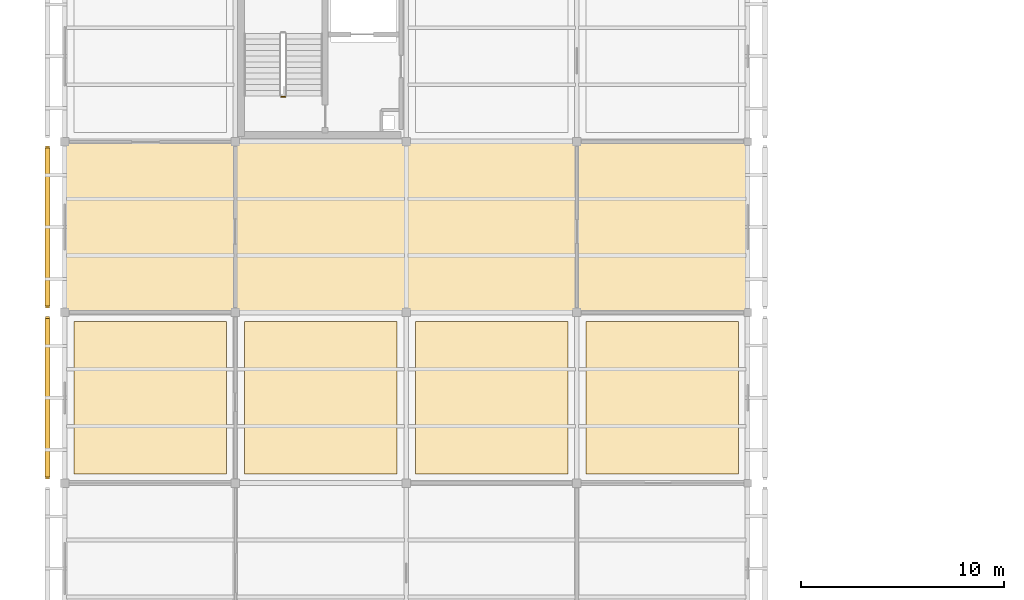
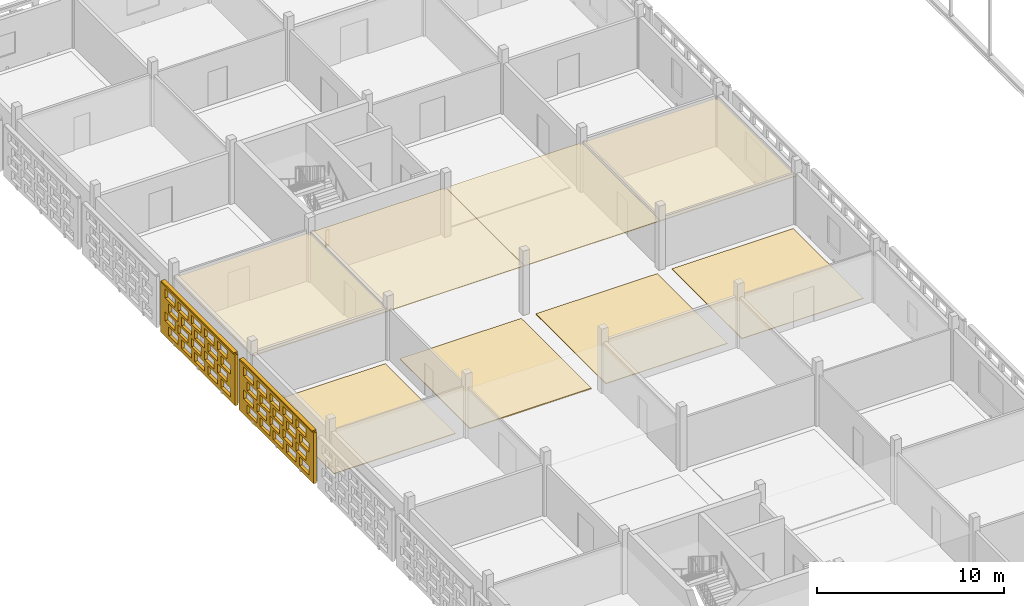
# One storey, part 90 of 103: 10 coverings, 2 shading devices, 1 railing, 40 openings.
"""IFC4 building model written with IfcOpenShell, lengths in metres."""

from ifc_helpers import new_model, si_unit, direction, frame, frame_2d, origin, origin_2d, place, context, subcontext, project, spatial, rectangle, circle, extrude, material, layer, layer_set, type_object, element, save


model = new_model("IFC4")

# Units and contexts
model_context = context("Model", 3, precision=1e-05, world=origin(), true_north=direction((0.0, 1.0)))
body_context = subcontext(model_context, "Body", "Model", "MODEL_VIEW")
ifc_project = project(units=[si_unit("LENGTHUNIT", "METRE"), si_unit("AREAUNIT", "SQUARE_METRE"), si_unit("VOLUMEUNIT", "CUBIC_METRE"), si_unit("PLANEANGLEUNIT", "RADIAN"), si_unit("MASSUNIT", "GRAM", prefix="KILO")], contexts=[model_context])

# Site, building, storey
site_placement = place(None, origin())
site = spatial("IfcSite", under=ifc_project, at=site_placement, CompositionType="ELEMENT")
building_placement = place(site_placement, origin())
building = spatial("IfcBuilding", under=site, at=building_placement, Name="Varnapada Polytechnic", CompositionType="ELEMENT")
storey_placement = place(building_placement, frame((0.0, 0.0, 18.0)))
storey = spatial("IfcBuildingStorey", under=building, at=storey_placement, Name="L04", CompositionType="ELEMENT", Elevation=18.0)

# Coverings
ifc_material_1 = material(Name="Anti-Static Raised Laboratory Flooring")
ifc_layer_1 = layer(ifc_material_1, 0.06005859375)
ifc_layer_set_1 = layer_set([ifc_layer_1], Name="Anti-Static Raised Laboratory Flooring")
covering_type_1 = type_object("IfcCoveringType", Name="Floor Finish FLR-02", PredefinedType="FLOORING", material=ifc_layer_set_1)
covering_1_placement = place(storey_placement, frame((12.60009765625, 88.199951171875, 0.0), z_axis=(0.0, 0.0, 1.0), x_axis=(1.0, 0.0, 0.0)))
element("IfcCovering", 1, at=covering_1_placement, inside=storey, type_object=covering_type_1, Name="L04 floor finish panel (2,11)", PredefinedType="FLOORING", context=body_context, shape_type="SweptSolid", body=[
    extrude(rectangle(XDim=7.5, YDim=7.5, at=origin_2d()), origin(), (0.0, 0.0, 1.0), 0.06005859375),
])
ifc_material_2 = material(Name="Acoustic Rubber Seminar Flooring")
ifc_layer_2 = layer(ifc_material_2, 0.0400390625)
ifc_layer_set_2 = layer_set([ifc_layer_2], Name="Acoustic Rubber Seminar Flooring")
covering_type_2 = type_object("IfcCoveringType", Name="Floor Finish FLR-06", PredefinedType="FLOORING", material=ifc_layer_set_2)
for number, where, z_axis, x_axis, name in (
    (2, (4.199951171875, 88.199951171875, 0.0), (0.0, 0.0, 1.0), (1.0, 0.0, 0.0), "L04 floor finish panel (1,11)"),
    (3, (21.0, 88.199951171875, 0.0), (0.0, 0.0, 1.0), (1.0, 0.0, 0.0), "L04 floor finish panel (3,11)"),
    (4, (29.39990234375, 88.199951171875, 0.0), (0.0, 0.0, 1.0), (1.0, 0.0, 0.0), "L04 floor finish panel (4,11)"),
):
    element("IfcCovering", number, at=place(storey_placement, frame(where, z_axis=z_axis, x_axis=x_axis)), inside=storey, type_object=covering_type_2, Name=name, PredefinedType="FLOORING", context=body_context, shape_type="SweptSolid", body=[
        extrude(rectangle(XDim=7.5, YDim=7.5, at=origin_2d()), origin(), (0.0, 0.0, 1.0), 0.0400390625),
    ])

# Railing
ifc_material_3 = material(Name="Brushed Stainless Steel 316", Category="steel")
railing_type = type_object("IfcRailingType", Name="Stair Well Guard Rail SGR-01", PredefinedType="BALUSTRADE", material=ifc_material_3)
railing_placement = place(storey_placement, frame((10.85009765625, 103.0, 0.0)))
element("IfcRailing", 5, at=railing_placement, inside=storey, type_object=railing_type, Name="L04 ST-1 stair guard 4", PredefinedType="BALUSTRADE", context=body_context, shape_type="SweptSolid", body=[
    extrude(circle(Radius=0.02392578125, at=origin_2d()), frame((0.0, 0.0, 1.09619140625), z_axis=(-1.0, 0.0, 0.0), x_axis=(0.0, -1.0, 0.0)), (0.0, 0.0, 1.0), 0.2001953125),
    extrude(circle(Radius=0.02392578125, at=origin_2d()), frame((0.0, 0.0, 0.10009765625), z_axis=(-1.0, 0.0, 0.0), x_axis=(0.0, -1.0, 0.0)), (0.0, 0.0, 1.0), 0.2001953125),
    extrude(circle(Radius=0.02099609375, at=origin_2d()), origin(), (0.0, 0.0, 1.0), 1.072021484375),
    extrude(circle(Radius=0.02099609375, at=origin_2d()), frame((-0.2001953125, 0.0, 0.0)), (0.0, 0.0, 1.0), 1.072021484375),
])

# Coverings
ifc_material_4 = material(Name="Mineral Fibre Acoustic Ceiling Tile")
ifc_layer_3 = layer(ifc_material_4, 0.0400390625)
ifc_layer_set_3 = layer_set([ifc_layer_3], Name="Mineral Fibre Acoustic Ceiling Tile")
covering_type_3 = type_object("IfcCoveringType", Name="Suspended Ceiling CLG-01", PredefinedType="CEILING", material=ifc_layer_set_3)
covering_2_placement = place(storey_placement, frame((12.60009765625, 96.60009765625, 3.030029296875), z_axis=(0.0, 0.0, 1.0), x_axis=(1.0, 0.0, 0.0)))
element("IfcCovering", 6, at=covering_2_placement, inside=storey, type_object=covering_type_3, Name="L04 suspended acoustic ceiling (2,12)", PredefinedType="CEILING", context=body_context, shape_type="SweptSolid", body=[
    extrude(rectangle(XDim=8.419921875, YDim=8.419921875, at=origin_2d()), origin(), (0.0, 0.0, 1.0), 0.0400390625),
])
ifc_material_5 = material(Name="Perforated Timber Slatted Baffle Ceiling", Category="wood")
ifc_layer_4 = layer(ifc_material_5, 0.050048828125)
ifc_layer_set_4 = layer_set([ifc_layer_4], Name="Perforated Timber Slatted Baffle Ceiling")
covering_type_4 = type_object("IfcCoveringType", Name="Suspended Ceiling CLG-02", PredefinedType="CEILING", material=ifc_layer_set_4)
covering_3_placement = place(storey_placement, frame((29.39990234375, 96.60009765625, 3.02490234375), z_axis=(0.0, 0.0, 1.0), x_axis=(1.0, 0.0, 0.0)))
element("IfcCovering", 7, at=covering_3_placement, inside=storey, type_object=covering_type_4, Name="L04 suspended acoustic ceiling (4,12)", PredefinedType="CEILING", context=body_context, shape_type="SweptSolid", body=[
    extrude(rectangle(XDim=8.419921875, YDim=8.419921875, at=origin_2d()), origin(), (0.0, 0.0, 1.0), 0.050048828125),
])
ifc_material_6 = material(Name="Micro-Perforated Gypsum Acoustic Ceiling")
ifc_layer_5 = layer(ifc_material_6, 0.044921875)
ifc_layer_set_5 = layer_set([ifc_layer_5], Name="Micro-Perforated Gypsum Acoustic Ceiling")
covering_type_5 = type_object("IfcCoveringType", Name="Suspended Ceiling CLG-04", PredefinedType="CEILING", material=ifc_layer_set_5)
covering_4_placement = place(storey_placement, frame((21.0, 96.60009765625, 3.027587890625), z_axis=(0.0, 0.0, 1.0), x_axis=(1.0, 0.0, 0.0)))
element("IfcCovering", 8, at=covering_4_placement, inside=storey, type_object=covering_type_5, Name="L04 suspended acoustic ceiling (3,12)", PredefinedType="CEILING", context=body_context, shape_type="SweptSolid", body=[
    extrude(rectangle(XDim=8.419921875, YDim=8.419921875, at=origin_2d()), origin(), (0.0, 0.0, 1.0), 0.044921875),
])
ifc_material_7 = material(Name="Deep Acoustic Auditorium Cloud Baffle")
ifc_layer_6 = layer(ifc_material_7, 0.06494140625)
ifc_layer_set_6 = layer_set([ifc_layer_6], Name="Deep Acoustic Auditorium Cloud Baffle")
covering_type_6 = type_object("IfcCoveringType", Name="Suspended Ceiling CLG-07", PredefinedType="CEILING", material=ifc_layer_set_6)
covering_5_placement = place(storey_placement, frame((4.199951171875, 96.60009765625, 3.017578125), z_axis=(0.0, 0.0, 1.0), x_axis=(1.0, 0.0, 0.0)))
element("IfcCovering", 9, at=covering_5_placement, inside=storey, type_object=covering_type_6, Name="L04 suspended acoustic ceiling (1,12)", PredefinedType="CEILING", context=body_context, shape_type="SweptSolid", body=[
    extrude(rectangle(XDim=8.419921875, YDim=8.419921875, at=origin_2d()), origin(), (0.0, 0.0, 1.0), 0.06494140625),
])

# Covering, openings
ifc_material_8 = material(Name="Earth-toned architectural terracotta screen block", Category="masonry")
ifc_layer_7 = layer(ifc_material_8, 0.1201171875)
ifc_layer_set_7 = layer_set([ifc_layer_7], Name="Earth-toned architectural terracotta screen block")
covering_type_7 = type_object("IfcCoveringType", Name="Terracotta Screen Cladding CLD-01", PredefinedType="CLADDING", material=ifc_layer_set_7)
covering_6_placement = place(storey_placement, frame((-0.85009765625, 84.2099609375, 0.0), z_axis=(0.0, 0.0, 1.0), x_axis=(0.0, 1.0, 0.0)))
covering_6 = element("IfcCovering", 10, at=covering_6_placement, inside=storey, type_object=covering_type_7, Name="L04 perforated terracotta block screen (6)", PredefinedType="CLADDING", context=body_context, shape_type="SweptSolid", body=[
    extrude(rectangle(XDim=7.97998046875, YDim=0.179931640625, at=frame_2d((3.989990234375, 0.0))), origin(), (0.0, 0.0, 1.0), 3.320068359375),
])
opening_1_placement = place(covering_6_placement, frame((0.489990234375, 0.0, 0.265625)))
element("IfcOpeningElement", 11, at=opening_1_placement, cuts=covering_6, Name="Screen perforation TBS-L04-005.1", PredefinedType="OPENING", context=body_context, shape_type="SweptSolid", body=[
    extrude(rectangle(XDim=1.0400390625, YDim=0.5810546875, at=frame_2d((0.52001953125, 0.29052734375))), frame((0.0, 0.099853515625, 0.0), z_axis=(0.0, -1.0, 0.0), x_axis=(1.0, 0.0, 0.0)), (0.0, 0.0, 1.0), 0.199951171875),
])
opening_2_placement = place(covering_6_placement, frame((1.889892578125, 0.0, 0.265625)))
element("IfcOpeningElement", 12, at=opening_2_placement, cuts=covering_6, Name="Screen perforation TBS-L04-005.2", PredefinedType="OPENING", context=body_context, shape_type="SweptSolid", body=[
    extrude(rectangle(XDim=1.0400390625, YDim=0.5810546875, at=frame_2d((0.52001953125, 0.29052734375))), frame((0.0, 0.099853515625, 0.0), z_axis=(0.0, -1.0, 0.0), x_axis=(1.0, 0.0, 0.0)), (0.0, 0.0, 1.0), 0.199951171875),
])
opening_3_placement = place(covering_6_placement, frame((3.2900390625, 0.0, 0.265625)))
element("IfcOpeningElement", 13, at=opening_3_placement, cuts=covering_6, Name="Screen perforation TBS-L04-005.3", PredefinedType="OPENING", context=body_context, shape_type="SweptSolid", body=[
    extrude(rectangle(XDim=1.0400390625, YDim=0.5810546875, at=frame_2d((0.52001953125, 0.29052734375))), frame((0.0, 0.099853515625, 0.0), z_axis=(0.0, -1.0, 0.0), x_axis=(1.0, 0.0, 0.0)), (0.0, 0.0, 1.0), 0.199951171875),
])
opening_4_placement = place(covering_6_placement, frame((4.68994140625, 0.0, 0.265625)))
element("IfcOpeningElement", 14, at=opening_4_placement, cuts=covering_6, Name="Screen perforation TBS-L04-005.4", PredefinedType="OPENING", context=body_context, shape_type="SweptSolid", body=[
    extrude(rectangle(XDim=1.0400390625, YDim=0.5810546875, at=frame_2d((0.52001953125, 0.29052734375))), frame((0.0, 0.099853515625, 0.0), z_axis=(0.0, -1.0, 0.0), x_axis=(1.0, 0.0, 0.0)), (0.0, 0.0, 1.0), 0.199951171875),
])
opening_5_placement = place(covering_6_placement, frame((6.090087890625, 0.0, 0.265625)))
element("IfcOpeningElement", 15, at=opening_5_placement, cuts=covering_6, Name="Screen perforation TBS-L04-005.5", PredefinedType="OPENING", context=body_context, shape_type="SweptSolid", body=[
    extrude(rectangle(XDim=1.0400390625, YDim=0.5810546875, at=frame_2d((0.52001953125, 0.29052734375))), frame((0.0, 0.099853515625, 0.0), z_axis=(0.0, -1.0, 0.0), x_axis=(1.0, 0.0, 0.0)), (0.0, 0.0, 1.0), 0.199951171875),
])
opening_6_placement = place(covering_6_placement, frame((0.85009765625, 0.0, 1.0126953125)))
element("IfcOpeningElement", 16, at=opening_6_placement, cuts=covering_6, Name="Screen perforation TBS-L04-005.6", PredefinedType="OPENING", context=body_context, shape_type="SweptSolid", body=[
    extrude(rectangle(XDim=1.0400390625, YDim=0.5810546875, at=frame_2d((0.52001953125, 0.29052734375))), frame((0.0, 0.099853515625, 0.0), z_axis=(0.0, -1.0, 0.0), x_axis=(1.0, 0.0, 0.0)), (0.0, 0.0, 1.0), 0.199951171875),
])
opening_7_placement = place(covering_6_placement, frame((2.25, 0.0, 1.0126953125)))
element("IfcOpeningElement", 17, at=opening_7_placement, cuts=covering_6, Name="Screen perforation TBS-L04-005.7", PredefinedType="OPENING", context=body_context, shape_type="SweptSolid", body=[
    extrude(rectangle(XDim=1.0400390625, YDim=0.5810546875, at=frame_2d((0.52001953125, 0.29052734375))), frame((0.0, 0.099853515625, 0.0), z_axis=(0.0, -1.0, 0.0), x_axis=(1.0, 0.0, 0.0)), (0.0, 0.0, 1.0), 0.199951171875),
])
opening_8_placement = place(covering_6_placement, frame((3.64990234375, 0.0, 1.0126953125)))
element("IfcOpeningElement", 18, at=opening_8_placement, cuts=covering_6, Name="Screen perforation TBS-L04-005.8", PredefinedType="OPENING", context=body_context, shape_type="SweptSolid", body=[
    extrude(rectangle(XDim=1.0400390625, YDim=0.5810546875, at=frame_2d((0.52001953125, 0.29052734375))), frame((0.0, 0.099853515625, 0.0), z_axis=(0.0, -1.0, 0.0), x_axis=(1.0, 0.0, 0.0)), (0.0, 0.0, 1.0), 0.199951171875),
])
opening_9_placement = place(covering_6_placement, frame((5.050048828125, 0.0, 1.0126953125)))
element("IfcOpeningElement", 19, at=opening_9_placement, cuts=covering_6, Name="Screen perforation TBS-L04-005.9", PredefinedType="OPENING", context=body_context, shape_type="SweptSolid", body=[
    extrude(rectangle(XDim=1.0400390625, YDim=0.5810546875, at=frame_2d((0.52001953125, 0.29052734375))), frame((0.0, 0.099853515625, 0.0), z_axis=(0.0, -1.0, 0.0), x_axis=(1.0, 0.0, 0.0)), (0.0, 0.0, 1.0), 0.199951171875),
])
opening_10_placement = place(covering_6_placement, frame((6.449951171875, 0.0, 1.0126953125)))
element("IfcOpeningElement", 20, at=opening_10_placement, cuts=covering_6, Name="Screen perforation TBS-L04-005.10", PredefinedType="OPENING", context=body_context, shape_type="SweptSolid", body=[
    extrude(rectangle(XDim=1.0400390625, YDim=0.5810546875, at=frame_2d((0.52001953125, 0.29052734375))), frame((0.0, 0.099853515625, 0.0), z_axis=(0.0, -1.0, 0.0), x_axis=(1.0, 0.0, 0.0)), (0.0, 0.0, 1.0), 0.199951171875),
])
opening_11_placement = place(covering_6_placement, frame((0.489990234375, 0.0, 1.759521484375)))
element("IfcOpeningElement", 21, at=opening_11_placement, cuts=covering_6, Name="Screen perforation TBS-L04-005.11", PredefinedType="OPENING", context=body_context, shape_type="SweptSolid", body=[
    extrude(rectangle(XDim=1.0400390625, YDim=0.5810546875, at=frame_2d((0.52001953125, 0.29052734375))), frame((0.0, 0.099853515625, 0.0), z_axis=(0.0, -1.0, 0.0), x_axis=(1.0, 0.0, 0.0)), (0.0, 0.0, 1.0), 0.199951171875),
])
opening_12_placement = place(covering_6_placement, frame((1.889892578125, 0.0, 1.759521484375)))
element("IfcOpeningElement", 22, at=opening_12_placement, cuts=covering_6, Name="Screen perforation TBS-L04-005.12", PredefinedType="OPENING", context=body_context, shape_type="SweptSolid", body=[
    extrude(rectangle(XDim=1.0400390625, YDim=0.5810546875, at=frame_2d((0.52001953125, 0.29052734375))), frame((0.0, 0.099853515625, 0.0), z_axis=(0.0, -1.0, 0.0), x_axis=(1.0, 0.0, 0.0)), (0.0, 0.0, 1.0), 0.199951171875),
])
opening_13_placement = place(covering_6_placement, frame((3.2900390625, 0.0, 1.759521484375)))
element("IfcOpeningElement", 23, at=opening_13_placement, cuts=covering_6, Name="Screen perforation TBS-L04-005.13", PredefinedType="OPENING", context=body_context, shape_type="SweptSolid", body=[
    extrude(rectangle(XDim=1.0400390625, YDim=0.5810546875, at=frame_2d((0.52001953125, 0.29052734375))), frame((0.0, 0.099853515625, 0.0), z_axis=(0.0, -1.0, 0.0), x_axis=(1.0, 0.0, 0.0)), (0.0, 0.0, 1.0), 0.199951171875),
])
opening_14_placement = place(covering_6_placement, frame((4.68994140625, 0.0, 1.759521484375)))
element("IfcOpeningElement", 24, at=opening_14_placement, cuts=covering_6, Name="Screen perforation TBS-L04-005.14", PredefinedType="OPENING", context=body_context, shape_type="SweptSolid", body=[
    extrude(rectangle(XDim=1.0400390625, YDim=0.5810546875, at=frame_2d((0.52001953125, 0.29052734375))), frame((0.0, 0.099853515625, 0.0), z_axis=(0.0, -1.0, 0.0), x_axis=(1.0, 0.0, 0.0)), (0.0, 0.0, 1.0), 0.199951171875),
])
opening_15_placement = place(covering_6_placement, frame((6.090087890625, 0.0, 1.759521484375)))
element("IfcOpeningElement", 25, at=opening_15_placement, cuts=covering_6, Name="Screen perforation TBS-L04-005.15", PredefinedType="OPENING", context=body_context, shape_type="SweptSolid", body=[
    extrude(rectangle(XDim=1.0400390625, YDim=0.5810546875, at=frame_2d((0.52001953125, 0.29052734375))), frame((0.0, 0.099853515625, 0.0), z_axis=(0.0, -1.0, 0.0), x_axis=(1.0, 0.0, 0.0)), (0.0, 0.0, 1.0), 0.199951171875),
])
opening_16_placement = place(covering_6_placement, frame((0.85009765625, 0.0, 2.506591796875)))
element("IfcOpeningElement", 26, at=opening_16_placement, cuts=covering_6, Name="Screen perforation TBS-L04-005.16", PredefinedType="OPENING", context=body_context, shape_type="SweptSolid", body=[
    extrude(rectangle(XDim=1.0400390625, YDim=0.5810546875, at=frame_2d((0.52001953125, 0.29052734375))), frame((0.0, 0.099853515625, 0.0), z_axis=(0.0, -1.0, 0.0), x_axis=(1.0, 0.0, 0.0)), (0.0, 0.0, 1.0), 0.199951171875),
])
opening_17_placement = place(covering_6_placement, frame((2.25, 0.0, 2.506591796875)))
element("IfcOpeningElement", 27, at=opening_17_placement, cuts=covering_6, Name="Screen perforation TBS-L04-005.17", PredefinedType="OPENING", context=body_context, shape_type="SweptSolid", body=[
    extrude(rectangle(XDim=1.0400390625, YDim=0.5810546875, at=frame_2d((0.52001953125, 0.29052734375))), frame((0.0, 0.099853515625, 0.0), z_axis=(0.0, -1.0, 0.0), x_axis=(1.0, 0.0, 0.0)), (0.0, 0.0, 1.0), 0.199951171875),
])
opening_18_placement = place(covering_6_placement, frame((3.64990234375, 0.0, 2.506591796875)))
element("IfcOpeningElement", 28, at=opening_18_placement, cuts=covering_6, Name="Screen perforation TBS-L04-005.18", PredefinedType="OPENING", context=body_context, shape_type="SweptSolid", body=[
    extrude(rectangle(XDim=1.0400390625, YDim=0.5810546875, at=frame_2d((0.52001953125, 0.29052734375))), frame((0.0, 0.099853515625, 0.0), z_axis=(0.0, -1.0, 0.0), x_axis=(1.0, 0.0, 0.0)), (0.0, 0.0, 1.0), 0.199951171875),
])
opening_19_placement = place(covering_6_placement, frame((5.050048828125, 0.0, 2.506591796875)))
element("IfcOpeningElement", 29, at=opening_19_placement, cuts=covering_6, Name="Screen perforation TBS-L04-005.19", PredefinedType="OPENING", context=body_context, shape_type="SweptSolid", body=[
    extrude(rectangle(XDim=1.0400390625, YDim=0.5810546875, at=frame_2d((0.52001953125, 0.29052734375))), frame((0.0, 0.099853515625, 0.0), z_axis=(0.0, -1.0, 0.0), x_axis=(1.0, 0.0, 0.0)), (0.0, 0.0, 1.0), 0.199951171875),
])
opening_20_placement = place(covering_6_placement, frame((6.449951171875, 0.0, 2.506591796875)))
element("IfcOpeningElement", 30, at=opening_20_placement, cuts=covering_6, Name="Screen perforation TBS-L04-005.20", PredefinedType="OPENING", context=body_context, shape_type="SweptSolid", body=[
    extrude(rectangle(XDim=1.0400390625, YDim=0.5810546875, at=frame_2d((0.52001953125, 0.29052734375))), frame((0.0, 0.099853515625, 0.0), z_axis=(0.0, -1.0, 0.0), x_axis=(1.0, 0.0, 0.0)), (0.0, 0.0, 1.0), 0.199951171875),
])

covering_7_placement = place(storey_placement, frame((-0.85009765625, 92.610107421875, 0.0), z_axis=(0.0, 0.0, 1.0), x_axis=(0.0, 1.0, 0.0)))
covering_7 = element("IfcCovering", 31, at=covering_7_placement, inside=storey, type_object=covering_type_7, Name="L04 perforated terracotta block screen (7)", PredefinedType="CLADDING", context=body_context, shape_type="SweptSolid", body=[
    extrude(rectangle(XDim=7.97998046875, YDim=0.179931640625, at=frame_2d((3.989990234375, 0.0))), origin(), (0.0, 0.0, 1.0), 3.320068359375),
])
opening_21_placement = place(covering_7_placement, frame((0.489990234375, 0.0, 0.265625)))
element("IfcOpeningElement", 32, at=opening_21_placement, cuts=covering_7, Name="Screen perforation TBS-L04-006.1", PredefinedType="OPENING", context=body_context, shape_type="SweptSolid", body=[
    extrude(rectangle(XDim=1.0400390625, YDim=0.5810546875, at=frame_2d((0.52001953125, 0.29052734375))), frame((0.0, 0.099853515625, 0.0), z_axis=(0.0, -1.0, 0.0), x_axis=(1.0, 0.0, 0.0)), (0.0, 0.0, 1.0), 0.199951171875),
])
opening_22_placement = place(covering_7_placement, frame((1.889892578125, 0.0, 0.265625)))
element("IfcOpeningElement", 33, at=opening_22_placement, cuts=covering_7, Name="Screen perforation TBS-L04-006.2", PredefinedType="OPENING", context=body_context, shape_type="SweptSolid", body=[
    extrude(rectangle(XDim=1.0400390625, YDim=0.5810546875, at=frame_2d((0.52001953125, 0.29052734375))), frame((0.0, 0.099853515625, 0.0), z_axis=(0.0, -1.0, 0.0), x_axis=(1.0, 0.0, 0.0)), (0.0, 0.0, 1.0), 0.199951171875),
])
opening_23_placement = place(covering_7_placement, frame((3.2900390625, 0.0, 0.265625)))
element("IfcOpeningElement", 34, at=opening_23_placement, cuts=covering_7, Name="Screen perforation TBS-L04-006.3", PredefinedType="OPENING", context=body_context, shape_type="SweptSolid", body=[
    extrude(rectangle(XDim=1.0400390625, YDim=0.5810546875, at=frame_2d((0.52001953125, 0.29052734375))), frame((0.0, 0.099853515625, 0.0), z_axis=(0.0, -1.0, 0.0), x_axis=(1.0, 0.0, 0.0)), (0.0, 0.0, 1.0), 0.199951171875),
])
opening_24_placement = place(covering_7_placement, frame((4.68994140625, 0.0, 0.265625)))
element("IfcOpeningElement", 35, at=opening_24_placement, cuts=covering_7, Name="Screen perforation TBS-L04-006.4", PredefinedType="OPENING", context=body_context, shape_type="SweptSolid", body=[
    extrude(rectangle(XDim=1.0400390625, YDim=0.5810546875, at=frame_2d((0.52001953125, 0.29052734375))), frame((0.0, 0.099853515625, 0.0), z_axis=(0.0, -1.0, 0.0), x_axis=(1.0, 0.0, 0.0)), (0.0, 0.0, 1.0), 0.199951171875),
])
opening_25_placement = place(covering_7_placement, frame((6.090087890625, 0.0, 0.265625)))
element("IfcOpeningElement", 36, at=opening_25_placement, cuts=covering_7, Name="Screen perforation TBS-L04-006.5", PredefinedType="OPENING", context=body_context, shape_type="SweptSolid", body=[
    extrude(rectangle(XDim=1.0400390625, YDim=0.5810546875, at=frame_2d((0.52001953125, 0.29052734375))), frame((0.0, 0.099853515625, 0.0), z_axis=(0.0, -1.0, 0.0), x_axis=(1.0, 0.0, 0.0)), (0.0, 0.0, 1.0), 0.199951171875),
])
opening_26_placement = place(covering_7_placement, frame((0.85009765625, 0.0, 1.0126953125)))
element("IfcOpeningElement", 37, at=opening_26_placement, cuts=covering_7, Name="Screen perforation TBS-L04-006.6", PredefinedType="OPENING", context=body_context, shape_type="SweptSolid", body=[
    extrude(rectangle(XDim=1.0400390625, YDim=0.5810546875, at=frame_2d((0.52001953125, 0.29052734375))), frame((0.0, 0.099853515625, 0.0), z_axis=(0.0, -1.0, 0.0), x_axis=(1.0, 0.0, 0.0)), (0.0, 0.0, 1.0), 0.199951171875),
])
opening_27_placement = place(covering_7_placement, frame((2.25, 0.0, 1.0126953125)))
element("IfcOpeningElement", 38, at=opening_27_placement, cuts=covering_7, Name="Screen perforation TBS-L04-006.7", PredefinedType="OPENING", context=body_context, shape_type="SweptSolid", body=[
    extrude(rectangle(XDim=1.0400390625, YDim=0.5810546875, at=frame_2d((0.52001953125, 0.29052734375))), frame((0.0, 0.099853515625, 0.0), z_axis=(0.0, -1.0, 0.0), x_axis=(1.0, 0.0, 0.0)), (0.0, 0.0, 1.0), 0.199951171875),
])
opening_28_placement = place(covering_7_placement, frame((3.64990234375, 0.0, 1.0126953125)))
element("IfcOpeningElement", 39, at=opening_28_placement, cuts=covering_7, Name="Screen perforation TBS-L04-006.8", PredefinedType="OPENING", context=body_context, shape_type="SweptSolid", body=[
    extrude(rectangle(XDim=1.0400390625, YDim=0.5810546875, at=frame_2d((0.52001953125, 0.29052734375))), frame((0.0, 0.099853515625, 0.0), z_axis=(0.0, -1.0, 0.0), x_axis=(1.0, 0.0, 0.0)), (0.0, 0.0, 1.0), 0.199951171875),
])
opening_29_placement = place(covering_7_placement, frame((5.050048828125, 0.0, 1.0126953125)))
element("IfcOpeningElement", 40, at=opening_29_placement, cuts=covering_7, Name="Screen perforation TBS-L04-006.9", PredefinedType="OPENING", context=body_context, shape_type="SweptSolid", body=[
    extrude(rectangle(XDim=1.0400390625, YDim=0.5810546875, at=frame_2d((0.52001953125, 0.29052734375))), frame((0.0, 0.099853515625, 0.0), z_axis=(0.0, -1.0, 0.0), x_axis=(1.0, 0.0, 0.0)), (0.0, 0.0, 1.0), 0.199951171875),
])
opening_30_placement = place(covering_7_placement, frame((6.449951171875, 0.0, 1.0126953125)))
element("IfcOpeningElement", 41, at=opening_30_placement, cuts=covering_7, Name="Screen perforation TBS-L04-006.10", PredefinedType="OPENING", context=body_context, shape_type="SweptSolid", body=[
    extrude(rectangle(XDim=1.0400390625, YDim=0.5810546875, at=frame_2d((0.52001953125, 0.29052734375))), frame((0.0, 0.099853515625, 0.0), z_axis=(0.0, -1.0, 0.0), x_axis=(1.0, 0.0, 0.0)), (0.0, 0.0, 1.0), 0.199951171875),
])
opening_31_placement = place(covering_7_placement, frame((0.489990234375, 0.0, 1.759521484375)))
element("IfcOpeningElement", 42, at=opening_31_placement, cuts=covering_7, Name="Screen perforation TBS-L04-006.11", PredefinedType="OPENING", context=body_context, shape_type="SweptSolid", body=[
    extrude(rectangle(XDim=1.0400390625, YDim=0.5810546875, at=frame_2d((0.52001953125, 0.29052734375))), frame((0.0, 0.099853515625, 0.0), z_axis=(0.0, -1.0, 0.0), x_axis=(1.0, 0.0, 0.0)), (0.0, 0.0, 1.0), 0.199951171875),
])
opening_32_placement = place(covering_7_placement, frame((1.889892578125, 0.0, 1.759521484375)))
element("IfcOpeningElement", 43, at=opening_32_placement, cuts=covering_7, Name="Screen perforation TBS-L04-006.12", PredefinedType="OPENING", context=body_context, shape_type="SweptSolid", body=[
    extrude(rectangle(XDim=1.0400390625, YDim=0.5810546875, at=frame_2d((0.52001953125, 0.29052734375))), frame((0.0, 0.099853515625, 0.0), z_axis=(0.0, -1.0, 0.0), x_axis=(1.0, 0.0, 0.0)), (0.0, 0.0, 1.0), 0.199951171875),
])
opening_33_placement = place(covering_7_placement, frame((3.2900390625, 0.0, 1.759521484375)))
element("IfcOpeningElement", 44, at=opening_33_placement, cuts=covering_7, Name="Screen perforation TBS-L04-006.13", PredefinedType="OPENING", context=body_context, shape_type="SweptSolid", body=[
    extrude(rectangle(XDim=1.0400390625, YDim=0.5810546875, at=frame_2d((0.52001953125, 0.29052734375))), frame((0.0, 0.099853515625, 0.0), z_axis=(0.0, -1.0, 0.0), x_axis=(1.0, 0.0, 0.0)), (0.0, 0.0, 1.0), 0.199951171875),
])
opening_34_placement = place(covering_7_placement, frame((4.68994140625, 0.0, 1.759521484375)))
element("IfcOpeningElement", 45, at=opening_34_placement, cuts=covering_7, Name="Screen perforation TBS-L04-006.14", PredefinedType="OPENING", context=body_context, shape_type="SweptSolid", body=[
    extrude(rectangle(XDim=1.0400390625, YDim=0.5810546875, at=frame_2d((0.52001953125, 0.29052734375))), frame((0.0, 0.099853515625, 0.0), z_axis=(0.0, -1.0, 0.0), x_axis=(1.0, 0.0, 0.0)), (0.0, 0.0, 1.0), 0.199951171875),
])
opening_35_placement = place(covering_7_placement, frame((6.090087890625, 0.0, 1.759521484375)))
element("IfcOpeningElement", 46, at=opening_35_placement, cuts=covering_7, Name="Screen perforation TBS-L04-006.15", PredefinedType="OPENING", context=body_context, shape_type="SweptSolid", body=[
    extrude(rectangle(XDim=1.0400390625, YDim=0.5810546875, at=frame_2d((0.52001953125, 0.29052734375))), frame((0.0, 0.099853515625, 0.0), z_axis=(0.0, -1.0, 0.0), x_axis=(1.0, 0.0, 0.0)), (0.0, 0.0, 1.0), 0.199951171875),
])
opening_36_placement = place(covering_7_placement, frame((0.85009765625, 0.0, 2.506591796875)))
element("IfcOpeningElement", 47, at=opening_36_placement, cuts=covering_7, Name="Screen perforation TBS-L04-006.16", PredefinedType="OPENING", context=body_context, shape_type="SweptSolid", body=[
    extrude(rectangle(XDim=1.0400390625, YDim=0.5810546875, at=frame_2d((0.52001953125, 0.29052734375))), frame((0.0, 0.099853515625, 0.0), z_axis=(0.0, -1.0, 0.0), x_axis=(1.0, 0.0, 0.0)), (0.0, 0.0, 1.0), 0.199951171875),
])
opening_37_placement = place(covering_7_placement, frame((2.25, 0.0, 2.506591796875)))
element("IfcOpeningElement", 48, at=opening_37_placement, cuts=covering_7, Name="Screen perforation TBS-L04-006.17", PredefinedType="OPENING", context=body_context, shape_type="SweptSolid", body=[
    extrude(rectangle(XDim=1.0400390625, YDim=0.5810546875, at=frame_2d((0.52001953125, 0.29052734375))), frame((0.0, 0.099853515625, 0.0), z_axis=(0.0, -1.0, 0.0), x_axis=(1.0, 0.0, 0.0)), (0.0, 0.0, 1.0), 0.199951171875),
])
opening_38_placement = place(covering_7_placement, frame((3.64990234375, 0.0, 2.506591796875)))
element("IfcOpeningElement", 49, at=opening_38_placement, cuts=covering_7, Name="Screen perforation TBS-L04-006.18", PredefinedType="OPENING", context=body_context, shape_type="SweptSolid", body=[
    extrude(rectangle(XDim=1.0400390625, YDim=0.5810546875, at=frame_2d((0.52001953125, 0.29052734375))), frame((0.0, 0.099853515625, 0.0), z_axis=(0.0, -1.0, 0.0), x_axis=(1.0, 0.0, 0.0)), (0.0, 0.0, 1.0), 0.199951171875),
])
opening_39_placement = place(covering_7_placement, frame((5.050048828125, 0.0, 2.506591796875)))
element("IfcOpeningElement", 50, at=opening_39_placement, cuts=covering_7, Name="Screen perforation TBS-L04-006.19", PredefinedType="OPENING", context=body_context, shape_type="SweptSolid", body=[
    extrude(rectangle(XDim=1.0400390625, YDim=0.5810546875, at=frame_2d((0.52001953125, 0.29052734375))), frame((0.0, 0.099853515625, 0.0), z_axis=(0.0, -1.0, 0.0), x_axis=(1.0, 0.0, 0.0)), (0.0, 0.0, 1.0), 0.199951171875),
])
opening_40_placement = place(covering_7_placement, frame((6.449951171875, 0.0, 2.506591796875)))
element("IfcOpeningElement", 51, at=opening_40_placement, cuts=covering_7, Name="Screen perforation TBS-L04-006.20", PredefinedType="OPENING", context=body_context, shape_type="SweptSolid", body=[
    extrude(rectangle(XDim=1.0400390625, YDim=0.5810546875, at=frame_2d((0.52001953125, 0.29052734375))), frame((0.0, 0.099853515625, 0.0), z_axis=(0.0, -1.0, 0.0), x_axis=(1.0, 0.0, 0.0)), (0.0, 0.0, 1.0), 0.199951171875),
])

# Shading devices
ifc_layer_8 = layer(ifc_material_8, 0.179931640625)
ifc_layer_set_8 = layer_set([ifc_layer_8], Name="Earth-toned architectural terracotta screen block")
shading_device_type = type_object("IfcShadingDeviceType", Name="Terracotta Screen SCR-01", PredefinedType="USERDEFINED", material=ifc_layer_set_8)
for number, where, z_axis, x_axis, name in (
    (52, (-0.85009765625, 88.199951171875, 3.31005859375), (0.0, 0.0, 1.0), (0.0, 1.0, 0.0), "L04 perforated terracotta screen hood 428"),
    (53, (-0.85009765625, 96.60009765625, 3.31005859375), (0.0, 0.0, 1.0), (0.0, 1.0, 0.0), "L04 perforated terracotta screen hood 429"),
):
    element("IfcShadingDevice", number, at=place(storey_placement, frame(where, z_axis=z_axis, x_axis=x_axis)), inside=storey, type_object=shading_device_type, Name=name, ObjectType="SCREEN", PredefinedType="USERDEFINED", context=body_context, shape_type="SweptSolid", body=[
        extrude(rectangle(XDim=7.780029296875, YDim=0.239990234375, at=origin_2d()), origin(), (0.0, 0.0, 1.0), 0.10009765625),
    ])

save(model, "model.ifc")
